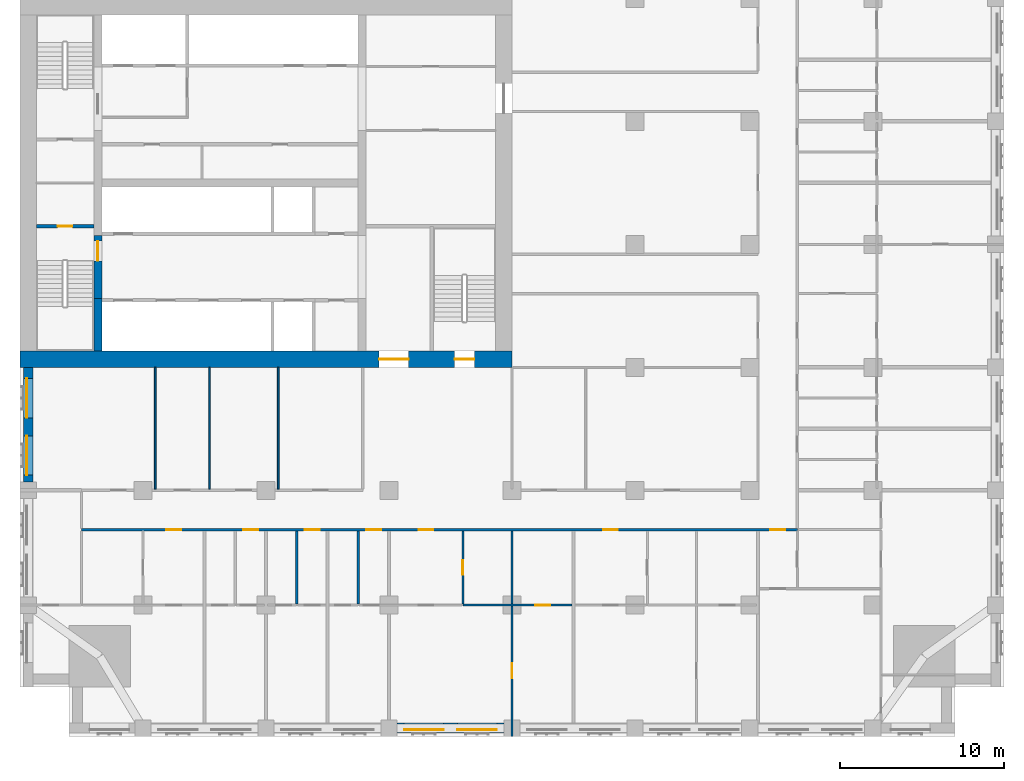
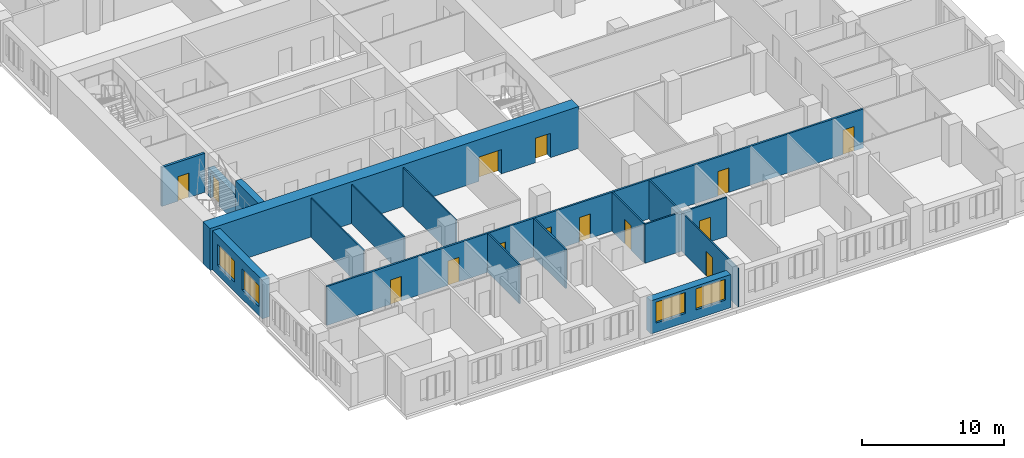
# One storey, part 5 of 15: 16 walls, 14 doors, 4 windows, 18 openings.
"""IFC4 building model written with IfcOpenShell, lengths in metres."""

from ifc_helpers import new_model, si_unit, direction, frame, frame_2d, origin, place, context, subcontext, project, spatial, rectangle, extrude, material, layer, layer_set, type_object, element, fill, save


model = new_model("IFC4")

# Units and contexts
model_context = context("Model", 3, precision=1e-05, world=origin(), true_north=direction((0.0, 1.0)))
body_context = subcontext(model_context, "Body", "Model", "MODEL_VIEW")
ifc_project = project(units=[si_unit("LENGTHUNIT", "METRE"), si_unit("AREAUNIT", "SQUARE_METRE"), si_unit("VOLUMEUNIT", "CUBIC_METRE"), si_unit("PLANEANGLEUNIT", "RADIAN"), si_unit("MASSUNIT", "GRAM", prefix="KILO")], contexts=[model_context])

# Site, building, storey
site_placement = place(None, origin())
site = spatial("IfcSite", under=ifc_project, at=site_placement, CompositionType="ELEMENT")
building_placement = place(site_placement, origin())
building = spatial("IfcBuilding", under=site, at=building_placement, Name="Tamorin Gate", CompositionType="ELEMENT")
storey_placement = place(building_placement, frame((0.0, 0.0, 97.10009765625)))
storey = spatial("IfcBuildingStorey", under=building, at=storey_placement, Name="L23", CompositionType="ELEMENT", Elevation=97.10009765625)

# Wall, openings, windows
ifc_material_1 = material(Name="Precast concrete C40/50", Category="concrete")
ifc_layer_1 = layer(ifc_material_1, 0.60009765625)
ifc_layer_set_1 = layer_set([ifc_layer_1], Name="Precast concrete C40/50")
wall_type_1 = type_object("IfcWallType", Name="Board-marked concrete facade panel 600", PredefinedType="SOLIDWALL", material=ifc_layer_set_1)
wall_1_placement = place(storey_placement, frame((53.0, 38.0, 0.0), z_axis=(0.0, 0.0, 1.0), x_axis=(1.0, 0.0, 0.0)))
wall_1 = element("IfcWall", 1, at=wall_1_placement, inside=storey, type_object=wall_type_1, Name="Facade panel", PredefinedType="SOLIDWALL", context=body_context, shape_type="SweptSolid", body=[
    extrude(rectangle(XDim=6.5, YDim=0.60009765625, at=frame_2d((3.25, 0.0))), origin(), (0.0, 0.0, 1.0), 2.849853515625),
])
opening_1_placement = place(wall_1_placement, frame((0.425048828125, 0.0, 0.800048828125)))
opening_1 = element("IfcOpeningElement", 2, at=opening_1_placement, cuts=wall_1, Name="Opening WN1", PredefinedType="OPENING", context=body_context, shape_type="SweptSolid", body=[
    extrude(rectangle(XDim=2.39990234375, YDim=1.800048828125, at=frame_2d((1.199951171875, 0.89990234375))), frame((0.0, 0.31005859375, 0.0), z_axis=(0.0, -1.0, 0.0), x_axis=(1.0, 0.0, 0.0)), (0.0, 0.0, 1.0), 0.6201171875),
])
opening_2_placement = place(wall_1_placement, frame((3.675048828125, 0.0, 0.800048828125)))
opening_2 = element("IfcOpeningElement", 3, at=opening_2_placement, cuts=wall_1, Name="Opening WN1", PredefinedType="OPENING", context=body_context, shape_type="SweptSolid", body=[
    extrude(rectangle(XDim=2.39990234375, YDim=1.800048828125, at=frame_2d((1.199951171875, 0.89990234375))), frame((0.0, 0.31005859375, 0.0), z_axis=(0.0, -1.0, 0.0), x_axis=(1.0, 0.0, 0.0)), (0.0, 0.0, 1.0), 0.6201171875),
])
ifc_material_2 = material(Name="Clear glass in aluminium frame", Category="aluminium")
window_type = type_object("IfcWindowType", Name="Deep-set window 2400x1800", PartitioningType="SINGLE_PANEL", PredefinedType="WINDOW", material=ifc_material_2)
window_1_placement = place(opening_1_placement, origin())
window_1 = element("IfcWindow", 4, at=window_1_placement, inside=storey, type_object=window_type, Name="Deep-set window", OverallHeight=1.800048828125, OverallWidth=2.39990234375, PartitioningType="SINGLE_PANEL", PredefinedType="WINDOW", context=body_context, shape_type="SweptSolid", body=[
    extrude(rectangle(XDim=2.39990234375, YDim=1.800048828125, at=frame_2d((1.199951171875, 0.89990234375))), frame((0.0, -0.070068359375, 0.0), z_axis=(0.0, -1.0, 0.0), x_axis=(1.0, 0.0, 0.0)), (0.0, 0.0, 1.0), 0.06005859375),
])
fill(opening_1, window_1)
window_2_placement = place(opening_2_placement, origin())
window_2 = element("IfcWindow", 5, at=window_2_placement, inside=storey, type_object=window_type, Name="Deep-set window", OverallHeight=1.800048828125, OverallWidth=2.39990234375, PartitioningType="SINGLE_PANEL", PredefinedType="WINDOW", context=body_context, shape_type="SweptSolid", body=[
    extrude(rectangle(XDim=2.39990234375, YDim=1.800048828125, at=frame_2d((1.199951171875, 0.89990234375))), frame((0.0, -0.070068359375, 0.0), z_axis=(0.0, -1.0, 0.0), x_axis=(1.0, 0.0, 0.0)), (0.0, 0.0, 1.0), 0.06005859375),
])
fill(opening_2, window_2)

wall_2_placement = place(storey_placement, frame((30.5, 60.0, 0.0), z_axis=(0.0, 0.0, 1.0), x_axis=(0.0, -1.0, 0.0)))
wall_2 = element("IfcWall", 6, at=wall_2_placement, inside=storey, type_object=wall_type_1, Name="Facade panel", PredefinedType="SOLIDWALL", context=body_context, shape_type="SweptSolid", body=[
    extrude(rectangle(XDim=7.0, YDim=0.60009765625, at=frame_2d((3.5, 0.0))), origin(), (0.0, 0.0, 1.0), 3.349853515625),
])
opening_3_placement = place(wall_2_placement, frame((4.175048828125, 0.0, 0.800048828125)))
opening_3 = element("IfcOpeningElement", 7, at=opening_3_placement, cuts=wall_2, Name="Opening WN1", PredefinedType="OPENING", context=body_context, shape_type="SweptSolid", body=[
    extrude(rectangle(XDim=2.39990234375, YDim=1.800048828125, at=frame_2d((1.199951171875, 0.89990234375))), frame((0.0, 0.31005859375, 0.0), z_axis=(0.0, -1.0, 0.0), x_axis=(1.0, 0.0, 0.0)), (0.0, 0.0, 1.0), 0.6201171875),
])
opening_4_placement = place(wall_2_placement, frame((0.675048828125, 0.0, 0.800048828125)))
opening_4 = element("IfcOpeningElement", 8, at=opening_4_placement, cuts=wall_2, Name="Opening WN1", PredefinedType="OPENING", context=body_context, shape_type="SweptSolid", body=[
    extrude(rectangle(XDim=2.39990234375, YDim=1.800048828125, at=frame_2d((1.199951171875, 0.89990234375))), frame((0.0, 0.31005859375, 0.0), z_axis=(0.0, -1.0, 0.0), x_axis=(1.0, 0.0, 0.0)), (0.0, 0.0, 1.0), 0.6201171875),
])
window_3_placement = place(opening_3_placement, origin())
window_3 = element("IfcWindow", 9, at=window_3_placement, inside=storey, type_object=window_type, Name="Deep-set window", OverallHeight=1.800048828125, OverallWidth=2.39990234375, PartitioningType="SINGLE_PANEL", PredefinedType="WINDOW", context=body_context, shape_type="SweptSolid", body=[
    extrude(rectangle(XDim=2.39990234375, YDim=1.800048828125, at=frame_2d((1.199951171875, 0.89990234375))), frame((0.0, -0.070068359375, 0.0), z_axis=(0.0, -1.0, 0.0), x_axis=(1.0, 0.0, 0.0)), (0.0, 0.0, 1.0), 0.06005859375),
])
fill(opening_3, window_3)
window_4_placement = place(opening_4_placement, origin())
window_4 = element("IfcWindow", 10, at=window_4_placement, inside=storey, type_object=window_type, Name="Deep-set window", OverallHeight=1.800048828125, OverallWidth=2.39990234375, PartitioningType="SINGLE_PANEL", PredefinedType="WINDOW", context=body_context, shape_type="SweptSolid", body=[
    extrude(rectangle(XDim=2.39990234375, YDim=1.800048828125, at=frame_2d((1.199951171875, 0.89990234375))), frame((0.0, -0.070068359375, 0.0), z_axis=(0.0, -1.0, 0.0), x_axis=(1.0, 0.0, 0.0)), (0.0, 0.0, 1.0), 0.06005859375),
])
fill(opening_4, window_4)

# Wall, openings, doors
ifc_material_3 = material(Name="Gypsum board partition")
ifc_layer_2 = layer(ifc_material_3, 0.14990234375)
ifc_layer_set_2 = layer_set([ifc_layer_2], Name="Corridor wall 150")
wall_type_2 = type_object("IfcWallType", Name="Corridor wall 150", PredefinedType="PARTITIONING", material=ifc_layer_set_2)
wall_3_placement = place(storey_placement, frame((33.75, 50.10009765625, 0.0), z_axis=(0.0, 0.0, 1.0), x_axis=(1.0, 0.0, 0.0)))
wall_3 = element("IfcWall", 11, at=wall_3_placement, inside=storey, type_object=wall_type_2, Name="Corridor wall 150", PredefinedType="PARTITIONING", context=body_context, shape_type="SweptSolid", body=[
    extrude(rectangle(XDim=43.64990234375, YDim=0.14990234375, at=frame_2d((21.824951171875, 0.0))), origin(), (0.0, 0.0, 1.0), 3.349853515625),
])
opening_5_placement = place(wall_3_placement, frame((5.175048828125, 0.0, 0.0)))
opening_5 = element("IfcOpeningElement", 12, at=opening_5_placement, cuts=wall_3, Name="Opening DH6003", PredefinedType="OPENING", context=body_context, shape_type="SweptSolid", body=[
    extrude(rectangle(XDim=0.89990234375, YDim=2.10009765625, at=frame_2d((0.449951171875, 1.050048828125))), frame((0.0, 0.0849609375, 0.0), z_axis=(0.0, -1.0, 0.0), x_axis=(1.0, 0.0, 0.0)), (0.0, 0.0, 1.0), 0.169921875),
])
opening_6_placement = place(wall_3_placement, frame((9.862548828125, 0.0, 0.0)))
opening_6 = element("IfcOpeningElement", 13, at=opening_6_placement, cuts=wall_3, Name="Opening DH6006", PredefinedType="OPENING", context=body_context, shape_type="SweptSolid", body=[
    extrude(rectangle(XDim=0.89990234375, YDim=2.10009765625, at=frame_2d((0.449951171875, 1.050048828125))), frame((0.0, 0.0849609375, 0.0), z_axis=(0.0, -1.0, 0.0), x_axis=(1.0, 0.0, 0.0)), (0.0, 0.0, 1.0), 0.169921875),
])
opening_7_placement = place(wall_3_placement, frame((13.612548828125, 0.0, 0.0)))
opening_7 = element("IfcOpeningElement", 14, at=opening_7_placement, cuts=wall_3, Name="Opening DH6009", PredefinedType="OPENING", context=body_context, shape_type="SweptSolid", body=[
    extrude(rectangle(XDim=0.89990234375, YDim=2.10009765625, at=frame_2d((0.449951171875, 1.050048828125))), frame((0.0, 0.0849609375, 0.0), z_axis=(0.0, -1.0, 0.0), x_axis=(1.0, 0.0, 0.0)), (0.0, 0.0, 1.0), 0.169921875),
])
opening_8_placement = place(wall_3_placement, frame((17.362548828125, 0.0, 0.0)))
opening_8 = element("IfcOpeningElement", 15, at=opening_8_placement, cuts=wall_3, Name="Opening DH6012", PredefinedType="OPENING", context=body_context, shape_type="SweptSolid", body=[
    extrude(rectangle(XDim=0.89990234375, YDim=2.10009765625, at=frame_2d((0.449951171875, 1.050048828125))), frame((0.0, 0.0849609375, 0.0), z_axis=(0.0, -1.0, 0.0), x_axis=(1.0, 0.0, 0.0)), (0.0, 0.0, 1.0), 0.169921875),
])
opening_9_placement = place(wall_3_placement, frame((20.550048828125, 0.0, 0.0)))
opening_9 = element("IfcOpeningElement", 16, at=opening_9_placement, cuts=wall_3, Name="Opening DH6014", PredefinedType="OPENING", context=body_context, shape_type="SweptSolid", body=[
    extrude(rectangle(XDim=0.89990234375, YDim=2.10009765625, at=frame_2d((0.449951171875, 1.050048828125))), frame((0.0, 0.0849609375, 0.0), z_axis=(0.0, -1.0, 0.0), x_axis=(1.0, 0.0, 0.0)), (0.0, 0.0, 1.0), 0.169921875),
])
opening_10_placement = place(wall_3_placement, frame((31.800048828125, 0.0, 0.0)))
opening_10 = element("IfcOpeningElement", 17, at=opening_10_placement, cuts=wall_3, Name="Opening DH6019", PredefinedType="OPENING", context=body_context, shape_type="SweptSolid", body=[
    extrude(rectangle(XDim=0.89990234375, YDim=2.10009765625, at=frame_2d((0.449951171875, 1.050048828125))), frame((0.0, 0.0849609375, 0.0), z_axis=(0.0, -1.0, 0.0), x_axis=(1.0, 0.0, 0.0)), (0.0, 0.0, 1.0), 0.169921875),
])
opening_11_placement = place(wall_3_placement, frame((42.0, 0.0, 0.0)))
opening_11 = element("IfcOpeningElement", 18, at=opening_11_placement, cuts=wall_3, Name="Opening DH6074", PredefinedType="OPENING", context=body_context, shape_type="SweptSolid", body=[
    extrude(rectangle(XDim=0.89990234375, YDim=2.10009765625, at=frame_2d((0.449951171875, 1.050048828125))), frame((0.0, 0.0849609375, 0.0), z_axis=(0.0, -1.0, 0.0), x_axis=(1.0, 0.0, 0.0)), (0.0, 0.0, 1.0), 0.169921875),
])
ifc_material_4 = material(Name="Timber door leaf", Category="wood")
door_type_1 = type_object("IfcDoorType", Name="Door 900 x 2100 FD30S", OperationType="NOTDEFINED", PredefinedType="DOOR", material=ifc_material_4)
door_1_placement = place(opening_5_placement, origin())
door_1 = element("IfcDoor", 19, at=door_1_placement, inside=storey, type_object=door_type_1, Name="Door DH6003", OperationType="SINGLE_SWING_RIGHT", OverallHeight=2.10009765625, OverallWidth=0.89990234375, PredefinedType="DOOR", context=body_context, shape_type="SweptSolid", body=[
    extrude(rectangle(XDim=0.89990234375, YDim=2.10009765625, at=frame_2d((0.449951171875, 1.050048828125))), frame((0.0, 0.02490234375, 0.0), z_axis=(0.0, -1.0, 0.0), x_axis=(1.0, 0.0, 0.0)), (0.0, 0.0, 1.0), 0.050048828125),
])
fill(opening_5, door_1)
door_2_placement = place(opening_6_placement, origin())
door_2 = element("IfcDoor", 20, at=door_2_placement, inside=storey, type_object=door_type_1, Name="Door DH6006", OperationType="SINGLE_SWING_RIGHT", OverallHeight=2.10009765625, OverallWidth=0.89990234375, PredefinedType="DOOR", context=body_context, shape_type="SweptSolid", body=[
    extrude(rectangle(XDim=0.89990234375, YDim=2.10009765625, at=frame_2d((0.449951171875, 1.050048828125))), frame((0.0, 0.02490234375, 0.0), z_axis=(0.0, -1.0, 0.0), x_axis=(1.0, 0.0, 0.0)), (0.0, 0.0, 1.0), 0.050048828125),
])
fill(opening_6, door_2)
door_3_placement = place(opening_7_placement, origin())
door_3 = element("IfcDoor", 21, at=door_3_placement, inside=storey, type_object=door_type_1, Name="Door DH6009", OperationType="SINGLE_SWING_RIGHT", OverallHeight=2.10009765625, OverallWidth=0.89990234375, PredefinedType="DOOR", context=body_context, shape_type="SweptSolid", body=[
    extrude(rectangle(XDim=0.89990234375, YDim=2.10009765625, at=frame_2d((0.449951171875, 1.050048828125))), frame((0.0, 0.02490234375, 0.0), z_axis=(0.0, -1.0, 0.0), x_axis=(1.0, 0.0, 0.0)), (0.0, 0.0, 1.0), 0.050048828125),
])
fill(opening_7, door_3)
door_4_placement = place(opening_8_placement, origin())
door_4 = element("IfcDoor", 22, at=door_4_placement, inside=storey, type_object=door_type_1, Name="Door DH6012", OperationType="SINGLE_SWING_RIGHT", OverallHeight=2.10009765625, OverallWidth=0.89990234375, PredefinedType="DOOR", context=body_context, shape_type="SweptSolid", body=[
    extrude(rectangle(XDim=0.89990234375, YDim=2.10009765625, at=frame_2d((0.449951171875, 1.050048828125))), frame((0.0, 0.02490234375, 0.0), z_axis=(0.0, -1.0, 0.0), x_axis=(1.0, 0.0, 0.0)), (0.0, 0.0, 1.0), 0.050048828125),
])
fill(opening_8, door_4)
door_5_placement = place(opening_9_placement, origin())
door_5 = element("IfcDoor", 23, at=door_5_placement, inside=storey, type_object=door_type_1, Name="Door DH6014", OperationType="SINGLE_SWING_RIGHT", OverallHeight=2.10009765625, OverallWidth=0.89990234375, PredefinedType="DOOR", context=body_context, shape_type="SweptSolid", body=[
    extrude(rectangle(XDim=0.89990234375, YDim=2.10009765625, at=frame_2d((0.449951171875, 1.050048828125))), frame((0.0, 0.02490234375, 0.0), z_axis=(0.0, -1.0, 0.0), x_axis=(1.0, 0.0, 0.0)), (0.0, 0.0, 1.0), 0.050048828125),
])
fill(opening_9, door_5)
door_6_placement = place(opening_10_placement, origin())
door_6 = element("IfcDoor", 24, at=door_6_placement, inside=storey, type_object=door_type_1, Name="Door DH6019", OperationType="SINGLE_SWING_RIGHT", OverallHeight=2.10009765625, OverallWidth=0.89990234375, PredefinedType="DOOR", context=body_context, shape_type="SweptSolid", body=[
    extrude(rectangle(XDim=0.89990234375, YDim=2.10009765625, at=frame_2d((0.449951171875, 1.050048828125))), frame((0.0, 0.02490234375, 0.0), z_axis=(0.0, -1.0, 0.0), x_axis=(1.0, 0.0, 0.0)), (0.0, 0.0, 1.0), 0.050048828125),
])
fill(opening_10, door_6)
door_7_placement = place(opening_11_placement, origin())
door_7 = element("IfcDoor", 25, at=door_7_placement, inside=storey, type_object=door_type_1, Name="Door DH6074", OperationType="SINGLE_SWING_LEFT", OverallHeight=2.10009765625, OverallWidth=0.89990234375, PredefinedType="DOOR", context=body_context, shape_type="SweptSolid", body=[
    extrude(rectangle(XDim=0.89990234375, YDim=2.10009765625, at=frame_2d((0.449951171875, 1.050048828125))), frame((0.0, 0.02490234375, 0.0), z_axis=(0.0, -1.0, 0.0), x_axis=(1.0, 0.0, 0.0)), (0.0, 0.0, 1.0), 0.050048828125),
])
fill(opening_11, door_7)

# Wall
ifc_material_5 = material(Name="Concrete C80/95", Category="concrete")
ifc_layer_3 = layer(ifc_material_5, 0.5)
ifc_layer_set_3 = layer_set([ifc_layer_3], Name="RC core internal wall 500 C80/95")
wall_type_3 = type_object("IfcWallType", Name="RC core internal wall 500 C80/95", PredefinedType="SHEAR", material=ifc_layer_set_3)
wall_4_placement = place(storey_placement, frame((34.75, 61.0, 0.0), z_axis=(0.0, 0.0, 1.0), x_axis=(0.0, 1.0, 0.0)))
element("IfcWall", 26, at=wall_4_placement, inside=storey, type_object=wall_type_3, Name="Core cross wall L23", PredefinedType="SHEAR", context=body_context, shape_type="SweptSolid", body=[
    extrude(rectangle(XDim=3.199951171875, YDim=0.5, at=frame_2d((1.60009765625, 0.0))), origin(), (0.0, 0.0, 1.0), 3.599853515625),
])

# Wall, openings, doors
ifc_layer_4 = layer(ifc_material_5, 1.0)
ifc_layer_set_4 = layer_set([ifc_layer_4], Name="RC core wall 1000 C80/95")
wall_type_4 = type_object("IfcWallType", Name="RC core wall 1000 C80/95", PredefinedType="SHEAR", material=ifc_layer_set_4)
wall_5_placement = place(storey_placement, frame((30.0, 60.5, 0.0), z_axis=(0.0, 0.0, 1.0), x_axis=(1.0, 0.0, 0.0)))
wall_5 = element("IfcWall", 27, at=wall_5_placement, inside=storey, type_object=wall_type_4, Name="Core wall L23", PredefinedType="SHEAR", context=body_context, shape_type="SweptSolid", body=[
    extrude(rectangle(XDim=30.0, YDim=1.0, at=frame_2d((15.0, 0.0))), origin(), (0.0, 0.0, 1.0), 3.599853515625),
])
opening_12_placement = place(wall_5_placement, frame((21.89990234375, 0.0, 0.0)))
opening_12 = element("IfcOpeningElement", 28, at=opening_12_placement, cuts=wall_5, Name="Opening DE1", PredefinedType="OPENING", context=body_context, shape_type="SweptSolid", body=[
    extrude(rectangle(XDim=1.800048828125, YDim=2.10009765625, at=frame_2d((0.89990234375, 1.050048828125))), frame((0.0, 0.510009765625, 0.0), z_axis=(0.0, -1.0, 0.0), x_axis=(1.0, 0.0, 0.0)), (0.0, 0.0, 1.0), 1.02001953125),
])
opening_13_placement = place(wall_5_placement, frame((26.5, 0.0, 0.0)))
opening_13 = element("IfcOpeningElement", 29, at=opening_13_placement, cuts=wall_5, Name="Opening DS1", PredefinedType="OPENING", context=body_context, shape_type="SweptSolid", body=[
    extrude(rectangle(XDim=1.199951171875, YDim=2.10009765625, at=frame_2d((0.60009765625, 1.050048828125))), frame((0.0, 0.510009765625, 0.0), z_axis=(0.0, -1.0, 0.0), x_axis=(1.0, 0.0, 0.0)), (0.0, 0.0, 1.0), 1.02001953125),
])
ifc_material_6 = material(Name="Steel fire door", Category="steel")
door_type_2 = type_object("IfcDoorType", Name="Lobby exit double door 1800 x 2100 EI 60", OperationType="DOUBLE_DOOR_SINGLE_SWING", PredefinedType="DOOR", material=ifc_material_6)
door_8_placement = place(opening_12_placement, origin())
door_8 = element("IfcDoor", 30, at=door_8_placement, inside=storey, type_object=door_type_2, Name="Lift lobby A exit door", OperationType="DOUBLE_DOOR_SINGLE_SWING", OverallHeight=2.10009765625, OverallWidth=1.800048828125, PredefinedType="DOOR", context=body_context, shape_type="SweptSolid", body=[
    extrude(rectangle(XDim=1.800048828125, YDim=2.10009765625, at=frame_2d((0.89990234375, 1.050048828125))), frame((0.0, 0.02490234375, 0.0), z_axis=(0.0, -1.0, 0.0), x_axis=(1.0, 0.0, 0.0)), (0.0, 0.0, 1.0), 0.050048828125),
])
fill(opening_12, door_8)
door_type_3 = type_object("IfcDoorType", Name="Stair door 1200 x 2100 EI 90", OperationType="SINGLE_SWING_LEFT", PredefinedType="DOOR", material=ifc_material_6)
door_9_placement = place(opening_13_placement, origin())
door_9 = element("IfcDoor", 31, at=door_9_placement, inside=storey, type_object=door_type_3, Name="ST3 door", OperationType="SINGLE_SWING_LEFT", OverallHeight=2.10009765625, OverallWidth=1.199951171875, PredefinedType="DOOR", context=body_context, shape_type="SweptSolid", body=[
    extrude(rectangle(XDim=1.199951171875, YDim=2.10009765625, at=frame_2d((0.60009765625, 1.050048828125))), frame((0.0, 0.02490234375, 0.0), z_axis=(0.0, -1.0, 0.0), x_axis=(1.0, 0.0, 0.0)), (0.0, 0.0, 1.0), 0.050048828125),
])
fill(opening_13, door_9)

# Walls
ifc_layer_5 = layer(ifc_material_3, 0.10009765625)
ifc_layer_set_5 = layer_set([ifc_layer_5], Name="Room partition 100")
wall_type_5 = type_object("IfcWallType", Name="Room partition 100", PredefinedType="PARTITIONING", material=ifc_layer_set_5)
for number, where, z_axis, x_axis, name in (
    (32, (38.25, 52.574951171875, 0.0), (0.0, 0.0, 1.0), (0.0, 1.0, 0.0), "Room partition 100"),
    (33, (41.550048828125, 52.574951171875, 0.0), (0.0, 0.0, 1.0), (0.0, 1.0, 0.0), "Room partition 100"),
    (34, (45.75, 52.574951171875, 0.0), (0.0, 0.0, 1.0), (0.0, 1.0, 0.0), "Room partition 100"),
):
    element("IfcWall", number, at=place(storey_placement, frame(where, z_axis=z_axis, x_axis=x_axis)), inside=storey, type_object=wall_type_5, Name=name, PredefinedType="PARTITIONING", context=body_context, shape_type="SweptSolid", body=[
        extrude(rectangle(XDim=7.425048828125, YDim=0.10009765625, at=frame_2d((3.71240234375, 0.0))), origin(), (0.0, 0.0, 1.0), 3.349853515625),
    ])

# Wall, opening, door
wall_6_placement = place(storey_placement, frame((60.0, 37.5, 0.0), z_axis=(0.0, 0.0, 1.0), x_axis=(0.0, 1.0, 0.0)))
wall_6 = element("IfcWall", 35, at=wall_6_placement, inside=storey, type_object=wall_type_5, Name="Room partition 100", PredefinedType="PARTITIONING", context=body_context, shape_type="SweptSolid", body=[
    extrude(rectangle(XDim=7.9375, YDim=0.10009765625, at=frame_2d((3.96875, 0.0))), origin(), (0.0, 0.0, 1.0), 3.349853515625),
])
opening_14_placement = place(wall_6_placement, frame((3.550048828125, 0.0, 0.0)))
opening_14 = element("IfcOpeningElement", 36, at=opening_14_placement, cuts=wall_6, Name="Opening DH6018", PredefinedType="OPENING", context=body_context, shape_type="SweptSolid", body=[
    extrude(rectangle(XDim=0.89990234375, YDim=2.10009765625, at=frame_2d((0.449951171875, 1.050048828125))), frame((0.0, 0.06005859375, 0.0), z_axis=(0.0, -1.0, 0.0), x_axis=(1.0, 0.0, 0.0)), (0.0, 0.0, 1.0), 0.1201171875),
])
door_type_4 = type_object("IfcDoorType", Name="Door 900 x 2100", OperationType="NOTDEFINED", PredefinedType="DOOR", material=ifc_material_4)
door_10_placement = place(opening_14_placement, origin())
door_10 = element("IfcDoor", 37, at=door_10_placement, inside=storey, type_object=door_type_4, Name="Door DH6018", OperationType="SINGLE_SWING_LEFT", OverallHeight=2.10009765625, OverallWidth=0.89990234375, PredefinedType="DOOR", context=body_context, shape_type="SweptSolid", body=[
    extrude(rectangle(XDim=0.89990234375, YDim=2.10009765625, at=frame_2d((0.449951171875, 1.050048828125))), frame((0.0, 0.02490234375, 0.0), z_axis=(0.0, -1.0, 0.0), x_axis=(1.0, 0.0, 0.0)), (0.0, 0.0, 1.0), 0.050048828125),
])
fill(opening_14, door_10)

ifc_material_7 = material(Name="Concrete C40/50", Category="concrete")
ifc_layer_6 = layer(ifc_material_7, 0.199951171875)
ifc_layer_set_6 = layer_set([ifc_layer_6], Name="Stair enclosure wall 200 EI 120 C40/50")
wall_type_6 = type_object("IfcWallType", Name="Stair enclosure wall 200 EI 120 C40/50", PredefinedType="SOLIDWALL", material=ifc_layer_set_6)
wall_7_placement = place(storey_placement, frame((31.0, 68.60009765625, 0.0), z_axis=(0.0, 0.0, 1.0), x_axis=(1.0, 0.0, 0.0)))
wall_7 = element("IfcWall", 38, at=wall_7_placement, inside=storey, type_object=wall_type_6, Name="Stair enclosure wall", PredefinedType="SOLIDWALL", context=body_context, shape_type="SweptSolid", body=[
    extrude(rectangle(XDim=3.5, YDim=0.199951171875, at=frame_2d((1.75, 0.0))), origin(), (0.0, 0.0, 1.0), 3.349853515625),
])
opening_15_placement = place(wall_7_placement, frame((1.300048828125, 0.0, 0.0)))
opening_15 = element("IfcOpeningElement", 39, at=opening_15_placement, cuts=wall_7, Name="Opening DR1", PredefinedType="OPENING", context=body_context, shape_type="SweptSolid", body=[
    extrude(rectangle(XDim=0.89990234375, YDim=2.10009765625, at=frame_2d((0.449951171875, 1.050048828125))), frame((0.0, 0.10986328125, 0.0), z_axis=(0.0, -1.0, 0.0), x_axis=(1.0, 0.0, 0.0)), (0.0, 0.0, 1.0), 0.219970703125),
])
door_type_5 = type_object("IfcDoorType", Name="Riser access door 900 x 2100 EI 120", OperationType="SINGLE_SWING_LEFT", PredefinedType="DOOR", material=ifc_material_6)
door_11_placement = place(opening_15_placement, origin())
door_11 = element("IfcDoor", 40, at=door_11_placement, inside=storey, type_object=door_type_5, Name="Electrical riser door", OperationType="SINGLE_SWING_LEFT", OverallHeight=2.10009765625, OverallWidth=0.89990234375, PredefinedType="DOOR", context=body_context, shape_type="SweptSolid", body=[
    extrude(rectangle(XDim=0.89990234375, YDim=2.10009765625, at=frame_2d((0.449951171875, 1.050048828125))), frame((0.0, 0.02490234375, 0.0), z_axis=(0.0, -1.0, 0.0), x_axis=(1.0, 0.0, 0.0)), (0.0, 0.0, 1.0), 0.050048828125),
])
fill(opening_15, door_11)

ifc_material_8 = material(Name="Concrete C32/40", Category="concrete")
ifc_layer_7 = layer(ifc_material_8, 0.5)
ifc_layer_set_7 = layer_set([ifc_layer_7], Name="Stair lobby infill wall 500 EI 120")
wall_type_7 = type_object("IfcWallType", Name="Stair lobby infill wall 500 EI 120", PredefinedType="SOLIDWALL", material=ifc_layer_set_7)
wall_8_placement = place(storey_placement, frame((34.75, 64.199951171875, 0.0), z_axis=(0.0, 0.0, 1.0), x_axis=(0.0, 1.0, 0.0)))
wall_8 = element("IfcWall", 41, at=wall_8_placement, inside=storey, type_object=wall_type_7, Name="Stair lobby infill wall", PredefinedType="SOLIDWALL", context=body_context, shape_type="SweptSolid", body=[
    extrude(rectangle(XDim=3.85009765625, YDim=0.5, at=frame_2d((1.925048828125, 0.0))), origin(), (0.0, 0.0, 1.0), 2.39990234375),
])
opening_16_placement = place(wall_8_placement, frame((2.300048828125, 0.0, 0.0)))
opening_16 = element("IfcOpeningElement", 42, at=opening_16_placement, cuts=wall_8, Name="Opening DS1", PredefinedType="OPENING", context=body_context, shape_type="SweptSolid", body=[
    extrude(rectangle(XDim=1.199951171875, YDim=2.10009765625, at=frame_2d((0.60009765625, 1.050048828125))), frame((0.0, 0.260009765625, 0.0), z_axis=(0.0, -1.0, 0.0), x_axis=(1.0, 0.0, 0.0)), (0.0, 0.0, 1.0), 0.52001953125),
])
door_12_placement = place(opening_16_placement, origin())
door_12 = element("IfcDoor", 43, at=door_12_placement, inside=storey, type_object=door_type_3, Name="ST1 door", OperationType="SINGLE_SWING_LEFT", OverallHeight=2.10009765625, OverallWidth=1.199951171875, PredefinedType="DOOR", context=body_context, shape_type="SweptSolid", body=[
    extrude(rectangle(XDim=1.199951171875, YDim=2.10009765625, at=frame_2d((0.60009765625, 1.050048828125))), frame((0.0, 0.02490234375, 0.0), z_axis=(0.0, -1.0, 0.0), x_axis=(1.0, 0.0, 0.0)), (0.0, 0.0, 1.0), 0.050048828125),
])
fill(opening_16, door_12)

ifc_layer_8 = layer(ifc_material_3, 0.125)
ifc_layer_set_8 = layer_set([ifc_layer_8], Name="Wet wall 125")
wall_type_8 = type_object("IfcWallType", Name="Wet wall 125", PredefinedType="PARTITIONING", material=ifc_layer_set_8)
wall_9_placement = place(storey_placement, frame((57.0, 45.5, 0.0), z_axis=(0.0, 0.0, 1.0), x_axis=(1.0, 0.0, 0.0)))
wall_9 = element("IfcWall", 44, at=wall_9_placement, inside=storey, type_object=wall_type_8, Name="Wet wall 125", PredefinedType="PARTITIONING", context=body_context, shape_type="SweptSolid", body=[
    extrude(rectangle(XDim=6.64990234375, YDim=0.125, at=frame_2d((3.324951171875, 0.0))), origin(), (0.0, 0.0, 1.0), 3.349853515625),
])
opening_17_placement = place(wall_9_placement, frame((4.425048828125, 0.0, 0.0)))
opening_17 = element("IfcOpeningElement", 45, at=opening_17_placement, cuts=wall_9, Name="Opening DH6017", PredefinedType="OPENING", context=body_context, shape_type="SweptSolid", body=[
    extrude(rectangle(XDim=0.89990234375, YDim=2.10009765625, at=frame_2d((0.449951171875, 1.050048828125))), frame((0.0, 0.072509765625, 0.0), z_axis=(0.0, -1.0, 0.0), x_axis=(1.0, 0.0, 0.0)), (0.0, 0.0, 1.0), 0.14501953125),
])
door_13_placement = place(opening_17_placement, origin())
door_13 = element("IfcDoor", 46, at=door_13_placement, inside=storey, type_object=door_type_4, Name="Door DH6017", OperationType="SINGLE_SWING_LEFT", OverallHeight=2.10009765625, OverallWidth=0.89990234375, PredefinedType="DOOR", context=body_context, shape_type="SweptSolid", body=[
    extrude(rectangle(XDim=0.89990234375, YDim=2.10009765625, at=frame_2d((0.449951171875, 1.050048828125))), frame((0.0, 0.02490234375, 0.0), z_axis=(0.0, -1.0, 0.0), x_axis=(1.0, 0.0, 0.0)), (0.0, 0.0, 1.0), 0.050048828125),
])
fill(opening_17, door_13)

# Walls
for number, where, z_axis, x_axis, name in (
    (47, (46.875, 45.5625, 0.0), (0.0, 0.0, 1.0), (0.0, 1.0, 0.0), "Wet wall 125"),
    (48, (50.625, 45.5625, 0.0), (0.0, 0.0, 1.0), (0.0, 1.0, 0.0), "Wet wall 125"),
):
    element("IfcWall", number, at=place(storey_placement, frame(where, z_axis=z_axis, x_axis=x_axis)), inside=storey, type_object=wall_type_8, Name=name, PredefinedType="PARTITIONING", context=body_context, shape_type="SweptSolid", body=[
        extrude(rectangle(XDim=4.46240234375, YDim=0.125, at=frame_2d((2.231201171875, 0.0))), origin(), (0.0, 0.0, 1.0), 3.349853515625),
    ])

# Wall, opening, door
wall_10_placement = place(storey_placement, frame((57.0, 45.5625, 0.0), z_axis=(0.0, 0.0, 1.0), x_axis=(0.0, 1.0, 0.0)))
wall_10 = element("IfcWall", 49, at=wall_10_placement, inside=storey, type_object=wall_type_8, Name="Wet wall 125", PredefinedType="PARTITIONING", context=body_context, shape_type="SweptSolid", body=[
    extrude(rectangle(XDim=4.46240234375, YDim=0.125, at=frame_2d((2.231201171875, 0.0))), origin(), (0.0, 0.0, 1.0), 3.349853515625),
])
opening_18_placement = place(wall_10_placement, frame((1.78759765625, 0.0, 0.0)))
opening_18 = element("IfcOpeningElement", 50, at=opening_18_placement, cuts=wall_10, Name="Opening DH6016", PredefinedType="OPENING", context=body_context, shape_type="SweptSolid", body=[
    extrude(rectangle(XDim=0.89990234375, YDim=2.10009765625, at=frame_2d((0.449951171875, 1.050048828125))), frame((0.0, 0.072509765625, 0.0), z_axis=(0.0, -1.0, 0.0), x_axis=(1.0, 0.0, 0.0)), (0.0, 0.0, 1.0), 0.14501953125),
])
door_14_placement = place(opening_18_placement, origin())
door_14 = element("IfcDoor", 51, at=door_14_placement, inside=storey, type_object=door_type_4, Name="Door DH6016", OperationType="SINGLE_SWING_LEFT", OverallHeight=2.10009765625, OverallWidth=0.89990234375, PredefinedType="DOOR", context=body_context, shape_type="SweptSolid", body=[
    extrude(rectangle(XDim=0.89990234375, YDim=2.10009765625, at=frame_2d((0.449951171875, 1.050048828125))), frame((0.0, 0.02490234375, 0.0), z_axis=(0.0, -1.0, 0.0), x_axis=(1.0, 0.0, 0.0)), (0.0, 0.0, 1.0), 0.050048828125),
])
fill(opening_18, door_14)

# Wall
wall_11_placement = place(storey_placement, frame((60.0, 45.5625, 0.0), z_axis=(0.0, 0.0, 1.0), x_axis=(0.0, 1.0, 0.0)))
element("IfcWall", 52, at=wall_11_placement, inside=storey, type_object=wall_type_8, Name="Wet wall 125", PredefinedType="PARTITIONING", context=body_context, shape_type="SweptSolid", body=[
    extrude(rectangle(XDim=4.46240234375, YDim=0.125, at=frame_2d((2.231201171875, 0.0))), origin(), (0.0, 0.0, 1.0), 3.349853515625),
])

save(model, "model.ifc")
